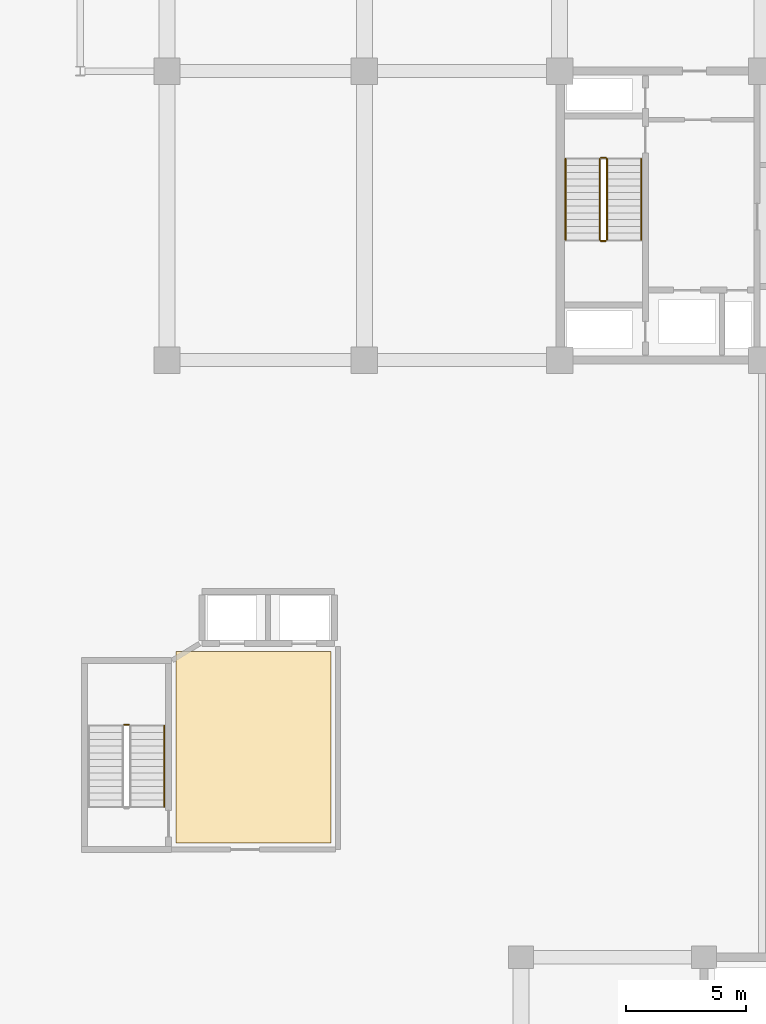
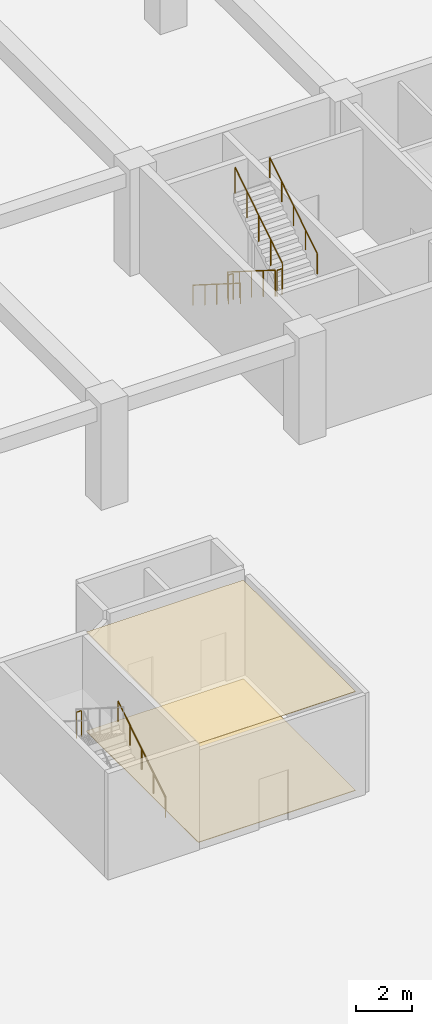
# One storey, part 39 of 45: 8 railings, 2 coverings.
"""IFC4 building model written with IfcOpenShell, lengths in metres."""

from ifc_helpers import new_model, si_unit, direction, frame, origin, origin_2d, place, context, subcontext, project, spatial, polyline, circle, outline, extrude, material, layer, layer_set, type_object, element, save


model = new_model("IFC4")

# Units and contexts
model_context = context("Model", 3, precision=1e-05, world=origin(), true_north=direction((0.0, 1.0)))
body_context = subcontext(model_context, "Body", "Model", "MODEL_VIEW")
ifc_project = project(units=[si_unit("LENGTHUNIT", "METRE"), si_unit("AREAUNIT", "SQUARE_METRE"), si_unit("VOLUMEUNIT", "CUBIC_METRE"), si_unit("PLANEANGLEUNIT", "RADIAN"), si_unit("MASSUNIT", "GRAM", prefix="KILO")], contexts=[model_context])

# Site, building, storey
site_placement = place(None, origin())
site = spatial("IfcSite", under=ifc_project, at=site_placement, CompositionType="ELEMENT")
building_placement = place(site_placement, origin())
building = spatial("IfcBuilding", under=site, at=building_placement, Name="Korimba Cascade Residences", CompositionType="ELEMENT")
storey_placement = place(building_placement, frame((0.0, 0.0, 5.39990234375)))
storey = spatial("IfcBuildingStorey", under=building, at=storey_placement, Name="L01", CompositionType="ELEMENT", Elevation=5.39990234375)

# Coverings
ifc_material_1 = material(Name="Perforated Acoustic Gypsum Ceiling", Category="gypsum")
ifc_layer_1 = layer(ifc_material_1, 0.02490234375)
ifc_layer_set_1 = layer_set([ifc_layer_1], Name="Perforated Acoustic Gypsum Ceiling")
covering_type_1 = type_object("IfcCoveringType", Name="COV-CLG-AC", PredefinedType="CEILING", material=ifc_layer_set_1)
covering_1_placement = place(storey_placement, frame((0.0, 0.0, 4.275146484375)))
element("IfcCovering", 1, at=covering_1_placement, inside=storey, type_object=covering_type_1, Name="L01 Suspended Acoustic Ceiling L01-PLW", PredefinedType="CEILING", context=body_context, shape_type="SweptSolid", body=[
    extrude(outline(polyline([(60.169921875, 35.14990234375), (66.60009765625, 35.14990234375), (66.60009765625, 43.10009765625), (60.169921875, 43.10009765625), (60.169921875, 35.14990234375)])), origin(), (0.0, 0.0, 1.0), 0.02490234375),
])
ifc_material_2 = material(Name="Honed Travertine Stone Flooring", Category="masonry")
ifc_layer_2 = layer(ifc_material_2, 0.02490234375)
ifc_layer_set_2 = layer_set([ifc_layer_2], Name="Honed Travertine Stone Flooring")
covering_type_2 = type_object("IfcCoveringType", Name="COV-FLR-STN", PredefinedType="FLOORING", material=ifc_layer_set_2)
covering_2_placement = place(storey_placement, origin())
element("IfcCovering", 2, at=covering_2_placement, inside=storey, type_object=covering_type_2, Name="L01 Honed Travertine Stone Flooring L01-PLW", PredefinedType="FLOORING", context=body_context, shape_type="SweptSolid", body=[
    extrude(outline(polyline([(60.169921875, 35.14990234375), (66.60009765625, 35.14990234375), (66.60009765625, 43.10009765625), (60.169921875, 43.10009765625), (60.169921875, 35.14990234375)])), origin(), (0.0, 0.0, 1.0), 0.025146484375),
])

# Railings
ifc_material_3 = material(Name="Painted Steel Stairwell Guardrail", Category="steel")
railing_type_1 = type_object("IfcRailingType", Name="RLG-ST-GD1150", PredefinedType="GUARDRAIL", material=ifc_material_3)
railing_1_placement = place(storey_placement, frame((77.77001953125, 63.550048828125, 0.177001953125)))
element("IfcRailing", 3, at=railing_1_placement, inside=storey, type_object=railing_type_1, Name="L01 ST-W1 stair guard 1", PredefinedType="GUARDRAIL", context=body_context, shape_type="SweptSolid", body=[
    extrude(circle(Radius=0.02392578125, at=origin_2d()), frame((0.0, 0.0, 1.1259765625), z_axis=(0.0, -0.845389635667, 0.534150132366), x_axis=(1.0, 0.0, 0.0)), (0.0, 0.0, 1.0), 3.974609375),
    extrude(circle(Radius=0.02099609375, at=origin_2d()), origin(), (0.0, 0.0, 1.0), 1.101806640625),
    extrude(circle(Radius=0.02099609375, at=origin_2d()), frame((0.0, -0.840087890625, 0.53076171875)), (0.0, 0.0, 1.0), 1.101806640625),
    extrude(circle(Radius=0.02099609375, at=origin_2d()), frame((0.0, -1.68017578125, 1.0615234375)), (0.0, 0.0, 1.0), 1.101806640625),
    extrude(circle(Radius=0.02099609375, at=origin_2d()), frame((0.0, -2.52001953125, 1.59228515625)), (0.0, 0.0, 1.0), 1.101806640625),
    extrude(circle(Radius=0.02099609375, at=origin_2d()), frame((0.0, -3.360107421875, 2.123046875)), (0.0, 0.0, 1.0), 1.101806640625),
])
railing_2_placement = place(storey_placement, frame((77.820068359375, 60.139892578125, 2.300048828125)))
element("IfcRailing", 4, at=railing_2_placement, inside=storey, type_object=railing_type_1, Name="L01 ST-W1 stair guard 2", PredefinedType="GUARDRAIL", context=body_context, shape_type="SweptSolid", body=[
    extrude(circle(Radius=0.02392578125, at=origin_2d()), frame((0.0, 0.0, 1.1259765625), z_axis=(1.0, 0.0, 0.0), x_axis=(0.0, 1.0, 0.0)), (0.0, 0.0, 1.0), 0.199951171875),
    extrude(circle(Radius=0.02099609375, at=origin_2d()), origin(), (0.0, 0.0, 1.0), 1.101806640625),
    extrude(circle(Radius=0.02099609375, at=origin_2d()), frame((0.199951171875, 0.0, 0.0)), (0.0, 0.0, 1.0), 1.101806640625),
])
railing_3_placement = place(storey_placement, frame((78.070068359375, 60.18994140625, 2.47705078125)))
element("IfcRailing", 5, at=railing_3_placement, inside=storey, type_object=railing_type_1, Name="L01 ST-W1 stair guard 3", PredefinedType="GUARDRAIL", context=body_context, shape_type="SweptSolid", body=[
    extrude(circle(Radius=0.02392578125, at=origin_2d()), frame((0.0, 0.0, 1.1259765625), z_axis=(0.0, 0.845389635667, 0.534150132366), x_axis=(-1.0, 0.0, 0.0)), (0.0, 0.0, 1.0), 3.974609375),
    extrude(circle(Radius=0.02099609375, at=origin_2d()), origin(), (0.0, 0.0, 1.0), 1.101806640625),
    extrude(circle(Radius=0.02099609375, at=origin_2d()), frame((0.0, 0.840087890625, 0.53076171875)), (0.0, 0.0, 1.0), 1.101806640625),
    extrude(circle(Radius=0.02099609375, at=origin_2d()), frame((0.0, 1.68017578125, 1.0615234375)), (0.0, 0.0, 1.0), 1.101806640625),
    extrude(circle(Radius=0.02099609375, at=origin_2d()), frame((0.0, 2.52001953125, 1.59228515625)), (0.0, 0.0, 1.0), 1.101806640625),
    extrude(circle(Radius=0.02099609375, at=origin_2d()), frame((0.0, 3.360107421875, 2.123046875)), (0.0, 0.0, 1.0), 1.101806640625),
])
railing_4_placement = place(storey_placement, frame((77.820068359375, 63.60009765625, 0.0)))
element("IfcRailing", 6, at=railing_4_placement, inside=storey, type_object=railing_type_1, Name="L01 ST-W1 stair guard 4", PredefinedType="GUARDRAIL", context=body_context, shape_type="SweptSolid", body=[
    extrude(circle(Radius=0.02392578125, at=origin_2d()), frame((0.0, 0.0, 1.1259765625), z_axis=(1.0, 0.0, 0.0), x_axis=(0.0, 1.0, 0.0)), (0.0, 0.0, 1.0), 0.199951171875),
    extrude(circle(Radius=0.02099609375, at=origin_2d()), origin(), (0.0, 0.0, 1.0), 1.101806640625),
    extrude(circle(Radius=0.02099609375, at=origin_2d()), frame((0.199951171875, 0.0, 0.0)), (0.0, 0.0, 1.0), 1.101806640625),
])
railing_5_placement = place(storey_placement, frame((58.219970703125, 40.06005859375, 2.300048828125)))
element("IfcRailing", 7, at=railing_5_placement, inside=storey, type_object=railing_type_1, Name="L01 ST-P1 stair guard 2", PredefinedType="GUARDRAIL", context=body_context, shape_type="SweptSolid", body=[
    extrude(circle(Radius=0.02392578125, at=origin_2d()), frame((0.0, 0.0, 1.1259765625), z_axis=(-1.0, 0.0, 0.0), x_axis=(0.0, -1.0, 0.0)), (0.0, 0.0, 1.0), 0.199951171875),
    extrude(circle(Radius=0.02099609375, at=origin_2d()), origin(), (0.0, 0.0, 1.0), 1.101806640625),
    extrude(circle(Radius=0.02099609375, at=origin_2d()), frame((-0.199951171875, 0.0, 0.0)), (0.0, 0.0, 1.0), 1.101806640625),
])
ifc_material_4 = material(Name="Brushed Stainless Steel Handrail", Category="steel")
railing_type_2 = type_object("IfcRailingType", Name="RLG-ST-HR900", PredefinedType="HANDRAIL", material=ifc_material_4)
railing_6_placement = place(storey_placement, frame((76.35009765625, 63.550048828125, 0.357666015625)))
element("IfcRailing", 8, at=railing_6_placement, inside=storey, type_object=railing_type_2, Name="L01 ST-W1 stair handrail 1", PredefinedType="HANDRAIL", context=body_context, shape_type="SweptSolid", body=[
    extrude(circle(Radius=0.02392578125, at=origin_2d()), frame((0.0, 0.0, 0.8759765625), z_axis=(0.0, -0.845389635667, 0.534150132366), x_axis=(1.0, 0.0, 0.0)), (0.0, 0.0, 1.0), 3.974609375),
    extrude(circle(Radius=0.02099609375, at=origin_2d()), origin(), (0.0, 0.0, 1.0), 0.851806640625),
    extrude(circle(Radius=0.02099609375, at=origin_2d()), frame((0.0, -0.840087890625, 0.53076171875)), (0.0, 0.0, 1.0), 0.851806640625),
    extrude(circle(Radius=0.02099609375, at=origin_2d()), frame((0.0, -1.68017578125, 1.0615234375)), (0.0, 0.0, 1.0), 0.851806640625),
    extrude(circle(Radius=0.02099609375, at=origin_2d()), frame((0.0, -2.52001953125, 1.59228515625)), (0.0, 0.0, 1.0), 0.851806640625),
    extrude(circle(Radius=0.02099609375, at=origin_2d()), frame((0.0, -3.360107421875, 2.123046875)), (0.0, 0.0, 1.0), 0.851806640625),
])
for number, where, name in (
    (9, (79.489990234375, 60.18994140625, 2.65771484375), "L01 ST-W1 stair handrail 2"),
    (10, (59.68994140625, 36.64990234375, 0.357666015625), "L01 ST-P1 stair handrail 1"),
):
    element("IfcRailing", number, at=place(storey_placement, frame(where)), inside=storey, type_object=railing_type_2, Name=name, PredefinedType="HANDRAIL", context=body_context, shape_type="SweptSolid", body=[
        extrude(circle(Radius=0.02392578125, at=origin_2d()), frame((0.0, 0.0, 0.8759765625), z_axis=(0.0, 0.845389635667, 0.534150132366), x_axis=(-1.0, 0.0, 0.0)), (0.0, 0.0, 1.0), 3.974609375),
        extrude(circle(Radius=0.02099609375, at=origin_2d()), origin(), (0.0, 0.0, 1.0), 0.851806640625),
        extrude(circle(Radius=0.02099609375, at=origin_2d()), frame((0.0, 0.840087890625, 0.53076171875)), (0.0, 0.0, 1.0), 0.851806640625),
        extrude(circle(Radius=0.02099609375, at=origin_2d()), frame((0.0, 1.68017578125, 1.0615234375)), (0.0, 0.0, 1.0), 0.851806640625),
        extrude(circle(Radius=0.02099609375, at=origin_2d()), frame((0.0, 2.52001953125, 1.59228515625)), (0.0, 0.0, 1.0), 0.851806640625),
        extrude(circle(Radius=0.02099609375, at=origin_2d()), frame((0.0, 3.360107421875, 2.123046875)), (0.0, 0.0, 1.0), 0.851806640625),
    ])

save(model, "model.ifc")
